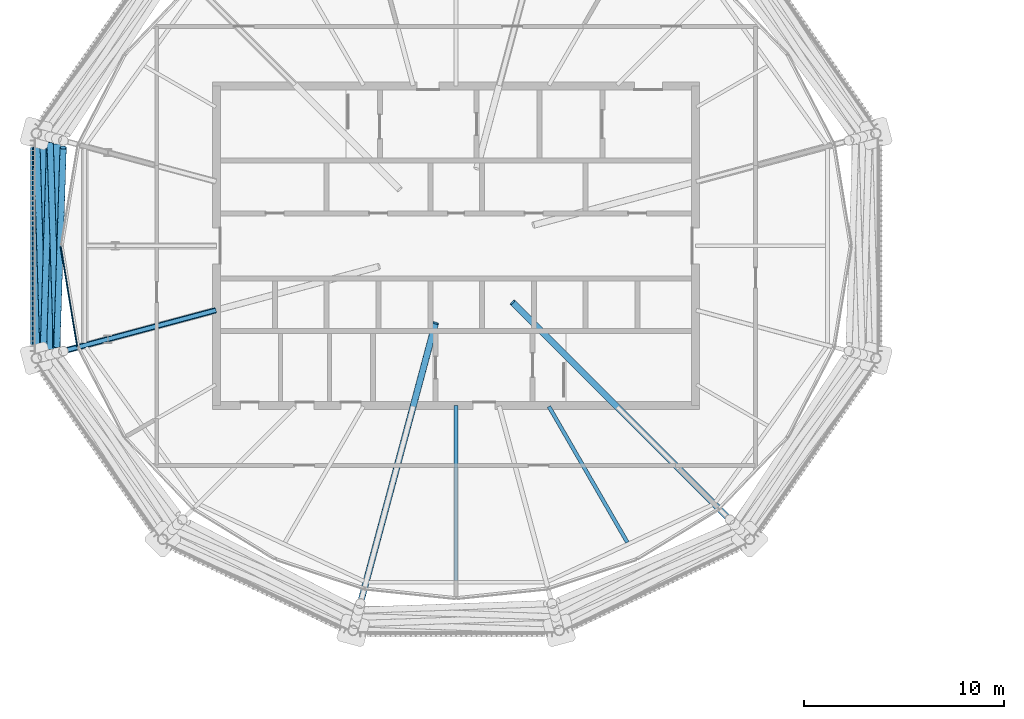
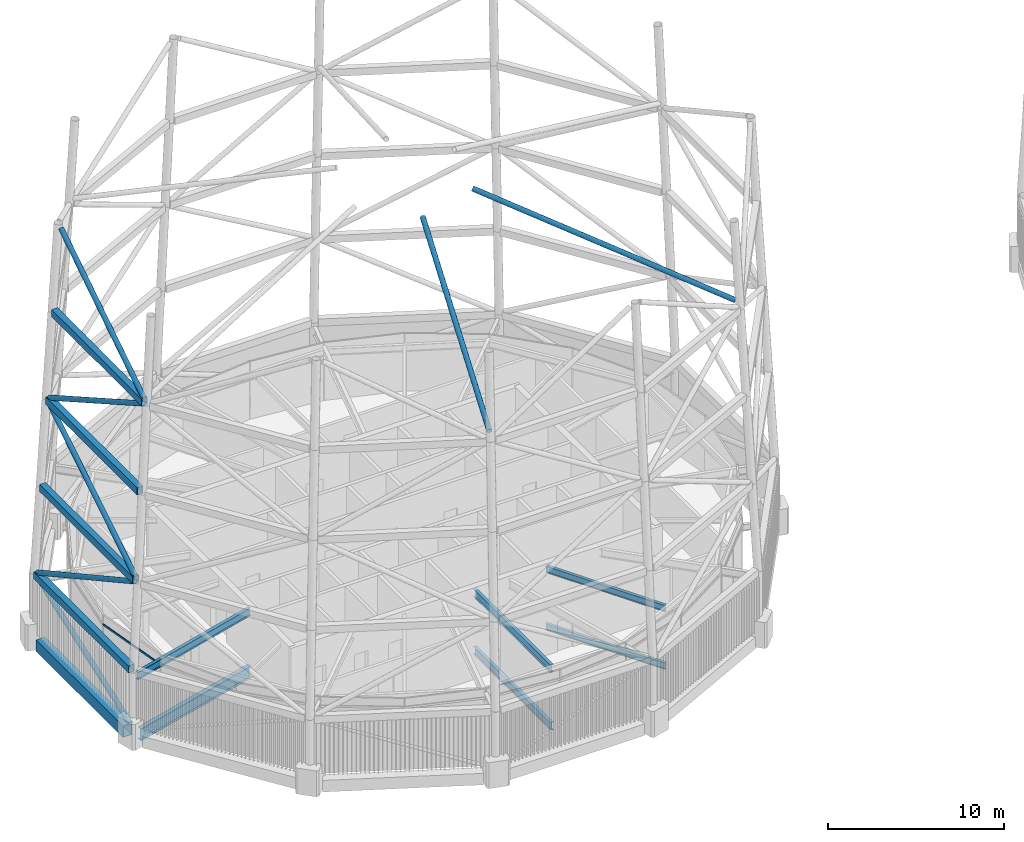
# One storey, part 12 of 71: 11 beams, 8 members, 1 element without a shape of its own.
"""IFC4 building model written with IfcOpenShell, lengths in metres."""

from ifc_helpers import new_model, si_unit, direction, frame, origin, origin_2d, place, context, subcontext, project, spatial, rectangle, hollow_rectangle, hollow_circle, i_section, extrude, material, material_profile, profile_set, type_object, element, aggregate, save


model = new_model("IFC4")

# Units and contexts
model_context = context("Model", 3, precision=1e-05, world=origin(), true_north=direction((0.0, 1.0)))
body_context = subcontext(model_context, "Body", "Model", "MODEL_VIEW")
ifc_project = project(units=[si_unit("LENGTHUNIT", "METRE"), si_unit("AREAUNIT", "SQUARE_METRE"), si_unit("VOLUMEUNIT", "CUBIC_METRE"), si_unit("PLANEANGLEUNIT", "RADIAN"), si_unit("MASSUNIT", "GRAM", prefix="KILO")], contexts=[model_context])

# Site, building, storey
site_placement = place(None, origin())
site = spatial("IfcSite", under=ifc_project, at=site_placement, CompositionType="ELEMENT")
building_placement = place(site_placement, origin())
building = spatial("IfcBuilding", under=site, at=building_placement, Name="Rimbun Link Towers", CompositionType="ELEMENT")
storey_placement = place(building_placement, frame((0.0, 0.0, 267.60009765625)))
storey = spatial("IfcBuildingStorey", under=building, at=storey_placement, Name="L65", CompositionType="ELEMENT", Elevation=267.60009765625)

# Curtain wall, member
ifc_material_1 = material(Name="Aluminium 6063-T6 louvre wall", Category="aluminium")
curtain_wall_type = type_object("IfcCurtainWallType", Name="CW6 plant floor louvre wall", PredefinedType="NOTDEFINED", material=ifc_material_1)
curtain_wall_placement = place(storey_placement, origin())
curtain_wall = element("IfcCurtainWall", 1, at=curtain_wall_placement, inside=storey, type_object=curtain_wall_type, Name="CW6 L65 T1", PredefinedType="NOTDEFINED")
ifc_material_2 = material(Name="Aluminium 6063-T6", Category="aluminium")
ifc_material_profile_1 = material_profile(ifc_material_2, rectangle(XDim=0.06005859375, YDim=0.1201171875, at=origin_2d()), Name="TRANSOM 60X120")
ifc_profile_set_1 = profile_set([ifc_material_profile_1], Name="Aluminium 6063-T6")
member_type_1 = type_object("IfcMemberType", Name="CW6 transom 60X120", PredefinedType="USERDEFINED", material=ifc_profile_set_1)
member_1_placement = place(storey_placement, frame((-50.73681640625, -5.043212890625, 3.39990234375), z_axis=(-0.16227804182, 0.986745072014, 0.0), x_axis=(-0.986745072014, -0.16227804182, 0.0)))
member_1 = element("IfcMember", 2, at=member_1_placement, type_object=member_type_1, Name="CW6 transom", ObjectType="TRANSOM", PredefinedType="USERDEFINED", context=body_context, shape_type="SweptSolid", body=[
    extrude(rectangle(XDim=0.06005859375, YDim=0.1201171875, at=origin_2d()), origin(), (0.0, 0.0, 1.0), 5.0595703125),
])
aggregate(curtain_wall, [member_1])

# Members
ifc_material_3 = material(Name="Steel S355J2H", Category="steel")
ifc_material_profile_2 = material_profile(ifc_material_3, hollow_circle(Radius=0.161865234375, WallThickness=0.011962890625, at=origin_2d()), Name="Crown frame brace CHS 324x12")
ifc_profile_set_2 = profile_set([ifc_material_profile_2], Name="Steel S355J2H")
member_type_2 = type_object("IfcMemberType", Name="Crown frame brace CHS 324x12", PredefinedType="BRACE", material=ifc_profile_set_2)
member_2_placement = place(storey_placement, frame((-52.777099609375, -5.257080078125, 0.1337890625), z_axis=(0.0, 0.9423827994, 0.334536484401), x_axis=(-1.0, 0.0, 0.0)))
element("IfcMember", 3, at=member_2_placement, inside=storey, type_object=member_type_2, Name="CROWN FRAME brace T1 1-05", PredefinedType="BRACE", context=body_context, shape_type="SweptSolid", body=[
    extrude(hollow_circle(Radius=0.161865234375, WallThickness=0.011962890625, at=origin_2d()), origin(), (0.0, 0.0, 1.0), 11.156982421875),
])
member_3_placement = place(storey_placement, frame((-52.766357421875, 5.281982421875, 4.18896484375), z_axis=(0.026629304714, -0.880779138727, 0.472777948844), x_axis=(0.99954327161, 0.030219996347, 0.0)))
element("IfcMember", 4, at=member_3_placement, inside=storey, type_object=member_type_2, Name="CROWN FRAME brace T1 2-05", PredefinedType="BRACE", context=body_context, shape_type="SweptSolid", body=[
    extrude(hollow_circle(Radius=0.161865234375, WallThickness=0.011962890625, at=origin_2d()), origin(), (0.0, 0.0, 1.0), 11.89111328125),
])
member_4_placement = place(storey_placement, frame((-52.427978515625, -5.192626953125, 10.19140625), z_axis=(0.026949619208, 0.877517060352, 0.47878755917), x_axis=(-0.999528743826, 0.030696746822, 0.0)))
element("IfcMember", 5, at=member_4_placement, inside=storey, type_object=member_type_2, Name="CROWN FRAME brace T1 3-05", PredefinedType="BRACE", context=body_context, shape_type="SweptSolid", body=[
    extrude(hollow_circle(Radius=0.161865234375, WallThickness=0.011962890625, at=origin_2d()), origin(), (0.0, 0.0, 1.0), 11.731689453125),
])
member_5_placement = place(storey_placement, frame((-52.090087890625, 5.103515625, 16.19384765625), z_axis=(0.027340166654, -0.874125883842, 0.484929329372), x_axis=(0.999511228514, 0.031261862925, 0.0)))
element("IfcMember", 6, at=member_5_placement, inside=storey, type_object=member_type_2, Name="CROWN FRAME brace T1 4-05", PredefinedType="BRACE", context=body_context, shape_type="SweptSolid", body=[
    extrude(hollow_circle(Radius=0.161865234375, WallThickness=0.011962890625, at=origin_2d()), origin(), (0.0, 0.0, 1.0), 11.572998046875),
])
member_6_placement = place(storey_placement, frame((-51.751708984375, -5.01416015625, 22.1962890625), z_axis=(0.027676029118, 0.870597191057, 0.491217434885), x_axis=(-0.999495089942, 0.031773655482, 0.0)))
element("IfcMember", 7, at=member_6_placement, inside=storey, type_object=member_type_2, Name="CROWN FRAME brace T1 5-05", PredefinedType="BRACE", context=body_context, shape_type="SweptSolid", body=[
    extrude(hollow_circle(Radius=0.161865234375, WallThickness=0.011962890625, at=origin_2d()), origin(), (0.0, 0.0, 1.0), 11.414794921875),
])
member_7_placement = place(storey_placement, frame((-32.785400390625, -3.86376953125, 27.39990234375), z_axis=(-0.245139401154, -0.914923506889, -0.320658152155), x_axis=(0.965929419345, -0.258805635261, 0.0)))
element("IfcMember", 8, at=member_7_placement, inside=storey, type_object=member_type_2, Name="CROWN FRAME hub stay T1 08", PredefinedType="BRACE", context=body_context, shape_type="SweptSolid", body=[
    extrude(hollow_circle(Radius=0.161865234375, WallThickness=0.011962890625, at=origin_2d()), origin(), (0.0, 0.0, 1.0), 15.436767578125),
])
member_8_placement = place(storey_placement, frame((-28.921630859375, -2.828369140625, 27.39990234375), z_axis=(0.673457411995, -0.673457411995, -0.304811791861), x_axis=(0.707106781187, 0.707106781187, 0.0)))
element("IfcMember", 9, at=member_8_placement, inside=storey, type_object=member_type_2, Name="CROWN FRAME hub stay T1 10", PredefinedType="BRACE", context=body_context, shape_type="SweptSolid", body=[
    extrude(hollow_circle(Radius=0.161865234375, WallThickness=0.011962890625, at=origin_2d()), origin(), (0.0, 0.0, 1.0), 16.2392578125),
])

# Beams
ifc_material_4 = material(Name="Steel S355J2", Category="steel")
ifc_material_profile_3 = material_profile(ifc_material_4, hollow_rectangle(XDim=0.39990234375, YDim=0.5, WallThickness=0.02001953125, at=origin_2d()), Name="Crown frame ring beam BOX 400x500x20")
ifc_profile_set_3 = profile_set([ifc_material_profile_3], Name="Steel S355J2")
beam_type_1 = type_object("IfcBeamType", Name="Crown frame ring beam BOX 400x500x20", PredefinedType="BEAM", material=ifc_profile_set_3)
beam_1_placement = place(storey_placement, frame((-52.777099609375, 5.380126953125, 4.0), z_axis=(0.0, -1.0, 0.0), x_axis=(1.0, 0.0, 0.0)))
element("IfcBeam", 10, at=beam_1_placement, inside=storey, type_object=beam_type_1, Name="CROWN FRAME ring beam T1 1-05", PredefinedType="BEAM", context=body_context, shape_type="SweptSolid", body=[
    extrude(hollow_rectangle(XDim=0.39990234375, YDim=0.5, WallThickness=0.02001953125, at=origin_2d()), origin(), (0.0, 0.0, 1.0), 10.76025390625),
])
beam_2_placement = place(storey_placement, frame((-52.43896484375, 5.28955078125, 10.0), z_axis=(0.0, -1.0, 0.0), x_axis=(1.0, 0.0, 0.0)))
element("IfcBeam", 11, at=beam_2_placement, inside=storey, type_object=beam_type_1, Name="CROWN FRAME ring beam T1 2-05", PredefinedType="BEAM", context=body_context, shape_type="SweptSolid", body=[
    extrude(hollow_rectangle(XDim=0.39990234375, YDim=0.5, WallThickness=0.02001953125, at=origin_2d()), origin(), (0.0, 0.0, 1.0), 10.5791015625),
])
beam_3_placement = place(storey_placement, frame((-52.100830078125, 5.198974609375, 16.0), z_axis=(0.0, -1.0, 0.0), x_axis=(1.0, 0.0, 0.0)))
element("IfcBeam", 12, at=beam_3_placement, inside=storey, type_object=beam_type_1, Name="CROWN FRAME ring beam T1 3-05", PredefinedType="BEAM", context=body_context, shape_type="SweptSolid", body=[
    extrude(hollow_rectangle(XDim=0.39990234375, YDim=0.5, WallThickness=0.02001953125, at=origin_2d()), origin(), (0.0, 0.0, 1.0), 10.39794921875),
])
beam_4_placement = place(storey_placement, frame((-51.7626953125, 5.1083984375, 22.0), z_axis=(0.0, -1.0, 0.0), x_axis=(1.0, 0.0, 0.0)))
element("IfcBeam", 13, at=beam_4_placement, inside=storey, type_object=beam_type_1, Name="CROWN FRAME ring beam T1 4-05", PredefinedType="BEAM", context=body_context, shape_type="SweptSolid", body=[
    extrude(hollow_rectangle(XDim=0.39990234375, YDim=0.5, WallThickness=0.02001953125, at=origin_2d()), origin(), (0.0, 0.0, 1.0), 10.216796875),
])
ifc_material_5 = material(Name="Steel S355J2", Category="steel")
ifc_material_profile_4 = material_profile(ifc_material_5, hollow_rectangle(XDim=0.60009765625, YDim=0.800048828125, WallThickness=0.0400390625, at=origin_2d()), Name="Exoskeleton ring girder BOX 600x800x40")
ifc_profile_set_4 = profile_set([ifc_material_profile_4], Name="Steel S355J2")
beam_type_2 = type_object("IfcBeamType", Name="Exoskeleton ring girder BOX 600x800x40", PredefinedType="BEAM", material=ifc_profile_set_4)
beam_5_placement = place(storey_placement, frame((-52.777099609375, 4.93408203125, -0.56005859375), z_axis=(0.0, -1.0, 0.0), x_axis=(1.0, 0.0, 0.0)))
element("IfcBeam", 14, at=beam_5_placement, inside=storey, type_object=beam_type_2, Name="Exoskeleton ring girder L65 05", PredefinedType="BEAM", context=body_context, shape_type="SweptSolid", body=[
    extrude(hollow_rectangle(XDim=0.60009765625, YDim=0.800048828125, WallThickness=0.0400390625, at=origin_2d()), origin(), (0.0, 0.0, 1.0), 9.8681640625),
])
ifc_material_6 = material(Name="Steel S355J2", Category="steel")
ifc_material_profile_5 = material_profile(ifc_material_6, i_section(OverallWidth=0.18994140625, OverallDepth=0.453369140625, WebThickness=0.008544921875, FlangeThickness=0.0126953125, at=origin_2d()), Name="UB 457x191x67")
ifc_profile_set_5 = profile_set([ifc_material_profile_5], Name="Steel S355J2")
beam_type_3 = type_object("IfcBeamType", Name="UB 457x191x67", PredefinedType="BEAM", material=ifc_profile_set_5)
for number, where, z_axis, x_axis, name in (
    (15, (-27.103271484375, -8.04833984375, -0.4267578125), (0.499993288894, -0.866029278408, 0.0), (0.866029278408, 0.499993288894, 0.0), "Radial beam T1 L65 20"),
    (16, (-27.103271484375, -8.04833984375, 3.5732421875), (0.499993288894, -0.866029278408, 0.0), (0.866029278408, 0.499993288894, 0.0), "Radial beam T1 L65 20"),
):
    element("IfcBeam", number, at=place(storey_placement, frame(where, z_axis=z_axis, x_axis=x_axis)), inside=storey, type_object=beam_type_3, Name=name, PredefinedType="BEAM", context=body_context, shape_type="SweptSolid", body=[
        extrude(i_section(OverallWidth=0.18994140625, OverallDepth=0.453369140625, WebThickness=0.008544921875, FlangeThickness=0.0126953125, at=origin_2d()), origin(), (0.0, 0.0, 1.0), 7.85498046875),
    ])
ifc_material_7 = material(Name="Steel S355J2", Category="steel")
ifc_material_profile_6 = material_profile(ifc_material_7, i_section(OverallWidth=0.209228515625, OverallDepth=0.533203125, WebThickness=0.010009765625, FlangeThickness=0.015625, at=origin_2d()), Name="UB 533x210x92")
ifc_profile_set_6 = profile_set([ifc_material_profile_6], Name="Steel S355J2")
beam_type_4 = type_object("IfcBeamType", Name="UB 533x210x92", PredefinedType="BEAM", material=ifc_profile_set_6)
beam_6_placement = place(storey_placement, frame((-31.75, -8.0009765625, -0.466552734375), z_axis=(0.0, -1.0, 0.0), x_axis=(1.0, 0.0, 0.0)))
element("IfcBeam", 17, at=beam_6_placement, inside=storey, type_object=beam_type_4, Name="Radial beam T1 L65 18", PredefinedType="BEAM", context=body_context, shape_type="SweptSolid", body=[
    extrude(i_section(OverallWidth=0.209228515625, OverallDepth=0.533203125, WebThickness=0.010009765625, FlangeThickness=0.015625, at=origin_2d()), origin(), (0.0, 0.0, 1.0), 8.751708984375),
])
beam_7_placement = place(storey_placement, frame((-43.778076171875, -3.222900390625, 3.533447265625), z_axis=(-0.965925068191, -0.258821874346, 0.0), x_axis=(0.258821874346, -0.965925068191, 0.0)))
element("IfcBeam", 18, at=beam_7_placement, inside=storey, type_object=beam_type_4, Name="Radial beam T1 L65 13", PredefinedType="BEAM", context=body_context, shape_type="SweptSolid", body=[
    extrude(i_section(OverallWidth=0.209228515625, OverallDepth=0.533203125, WebThickness=0.010009765625, FlangeThickness=0.015625, at=origin_2d()), origin(), (0.0, 0.0, 1.0), 9.056396484375),
])
beam_8_placement = place(storey_placement, frame((-31.75, -8.0009765625, 3.533447265625), z_axis=(0.0, -1.0, 0.0), x_axis=(1.0, 0.0, 0.0)))
element("IfcBeam", 19, at=beam_8_placement, inside=storey, type_object=beam_type_4, Name="Radial beam T1 L65 18", PredefinedType="BEAM", context=body_context, shape_type="SweptSolid", body=[
    extrude(i_section(OverallWidth=0.209228515625, OverallDepth=0.533203125, WebThickness=0.010009765625, FlangeThickness=0.015625, at=origin_2d()), origin(), (0.0, 0.0, 1.0), 8.751708984375),
])
ifc_material_8 = material(Name="Steel S355J2", Category="steel")
ifc_material_profile_7 = material_profile(ifc_material_8, i_section(OverallWidth=0.29248046875, OverallDepth=0.8408203125, WebThickness=0.0126953125, FlangeThickness=0.021728515625, at=origin_2d()), Name="UB 838x292x194")
ifc_profile_set_7 = profile_set([ifc_material_profile_7], Name="Steel S355J2")
beam_type_5 = type_object("IfcBeamType", Name="UB 838x292x194", PredefinedType="BEAM", material=ifc_profile_set_7)
beam_9_placement = place(storey_placement, frame((-43.788818359375, -3.225830078125, -0.620361328125), z_axis=(-0.965922679328, -0.258830789434, 0.0), x_axis=(0.258830789434, -0.965922679328, 0.0)))
element("IfcBeam", 20, at=beam_9_placement, inside=storey, type_object=beam_type_5, Name="Radial beam T1 L65 13", PredefinedType="BEAM", context=body_context, shape_type="SweptSolid", body=[
    extrude(i_section(OverallWidth=0.29248046875, OverallDepth=0.8408203125, WebThickness=0.0126953125, FlangeThickness=0.021728515625, at=origin_2d()), origin(), (0.0, 0.0, 1.0), 8.80517578125),
])

save(model, "model.ifc")
